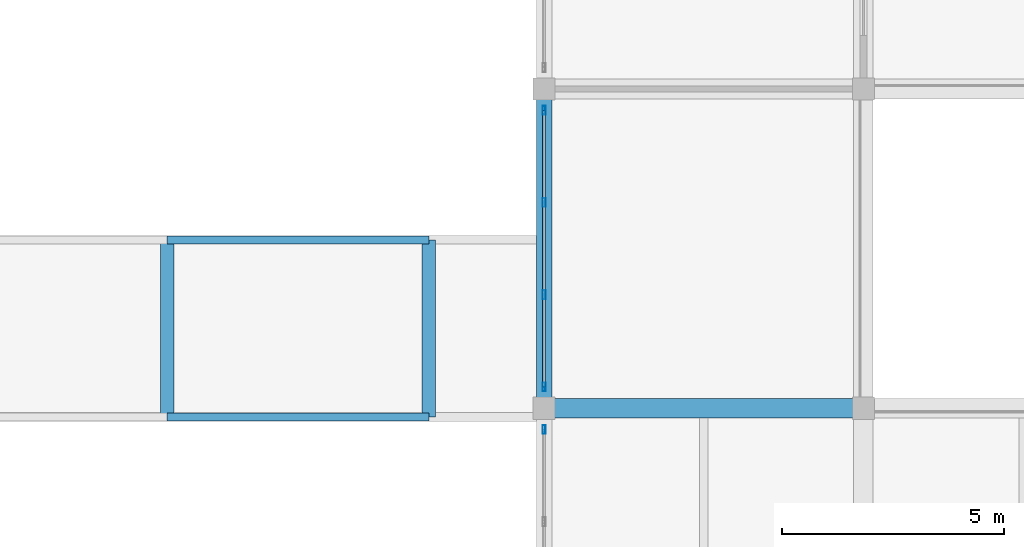
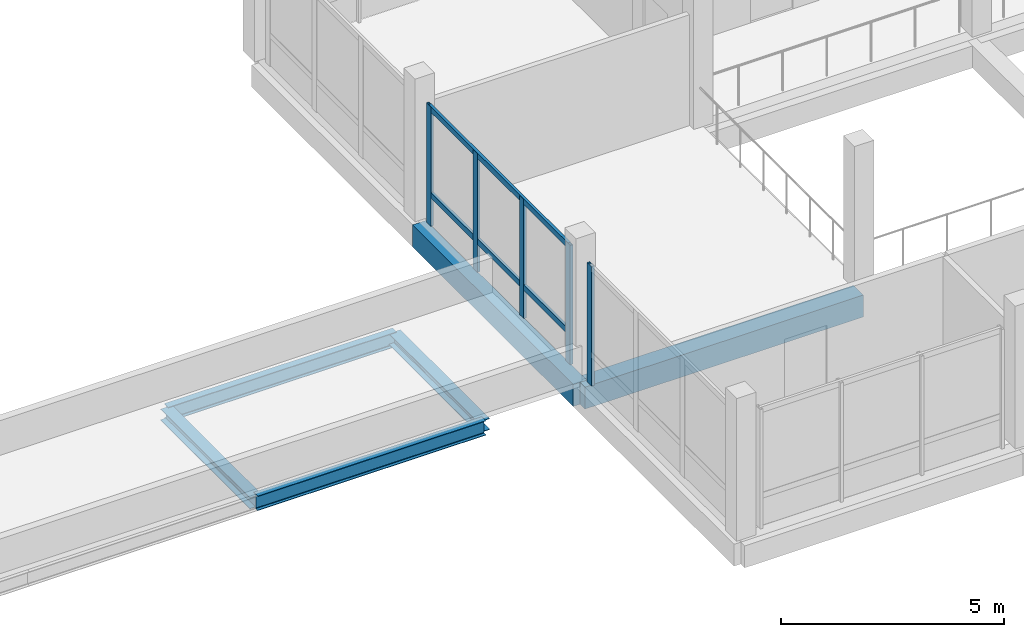
# One storey, part 37 of 128: 7 members, 6 beams, 2 elements without a shape of their own.
"""IFC4 building model written with IfcOpenShell, lengths in metres."""

from ifc_helpers import new_model, si_unit, direction, frame, origin, origin_2d, place, context, subcontext, project, spatial, rectangle, hollow_rectangle, i_section, extrude, material, material_profile, profile_set, type_object, element, aggregate, save


model = new_model("IFC4")

# Units and contexts
model_context = context("Model", 3, precision=1e-05, world=origin(), true_north=direction((0.0, 1.0)))
body_context = subcontext(model_context, "Body", "Model", "MODEL_VIEW")
ifc_project = project(units=[si_unit("LENGTHUNIT", "METRE"), si_unit("AREAUNIT", "SQUARE_METRE"), si_unit("VOLUMEUNIT", "CUBIC_METRE"), si_unit("PLANEANGLEUNIT", "RADIAN"), si_unit("MASSUNIT", "GRAM", prefix="KILO")], contexts=[model_context])

# Site, building, storey
site_placement = place(None, origin())
site = spatial("IfcSite", under=ifc_project, at=site_placement, CompositionType="ELEMENT")
building_placement = place(site_placement, origin())
building = spatial("IfcBuilding", under=site, at=building_placement, Name="Zornivar Specialist Clinic", CompositionType="ELEMENT")
storey_placement = place(building_placement, frame((0.0, 0.0, 4.5)))
storey = spatial("IfcBuildingStorey", under=building, at=storey_placement, Name="L01", CompositionType="ELEMENT", Elevation=4.5)

# Beams
ifc_material_1 = material(Name="Concrete C30/37", Category="concrete")
ifc_material_profile_1 = material_profile(ifc_material_1, rectangle(XDim=0.43994140625, YDim=0.60009765625, at=origin_2d()), Name="RC 440x600")
ifc_profile_set_1 = profile_set([ifc_material_profile_1], Name="Concrete C30/37")
beam_type_1 = type_object("IfcBeamType", Name="BM-RC-440x600", PredefinedType="BEAM", material=ifc_profile_set_1)
beam_1_placement = place(storey_placement, frame((122.39990234375, 7.199951171875, -0.56005859375), z_axis=(1.0, 0.0, 0.0), x_axis=(0.0, 1.0, 0.0)))
element("IfcBeam", 1, at=beam_1_placement, inside=storey, type_object=beam_type_1, Name="bm:V4:L01:x:72:0", PredefinedType="BEAM", context=body_context, shape_type="SweptSolid", body=[
    extrude(rectangle(XDim=0.43994140625, YDim=0.60009765625, at=origin_2d()), origin(), (0.0, 0.0, 1.0), 7.2001953125),
])
ifc_material_2 = material(Name="Concrete C30/37", Category="concrete")
ifc_material_profile_2 = material_profile(ifc_material_2, rectangle(XDim=0.35009765625, YDim=0.60009765625, at=origin_2d()), Name="RC 350x600")
ifc_profile_set_2 = profile_set([ifc_material_profile_2], Name="Concrete C30/37")
beam_type_2 = type_object("IfcBeamType", Name="BM-RC-SPANDREL-350x600", PredefinedType="SPANDREL", material=ifc_profile_set_2)
beam_2_placement = place(storey_placement, frame((122.39990234375, 7.199951171875, -0.56005859375), z_axis=(0.0, 1.0, 0.0), x_axis=(-1.0, 0.0, 0.0)))
element("IfcBeam", 2, at=beam_2_placement, inside=storey, type_object=beam_type_2, Name="bm:V4:L01:y:1224:1", PredefinedType="SPANDREL", context=body_context, shape_type="SweptSolid", body=[
    extrude(rectangle(XDim=0.35009765625, YDim=0.60009765625, at=origin_2d()), origin(), (0.0, 0.0, 1.0), 7.199951171875),
])
ifc_material_3 = material(Name="Steel S355J2", Category="steel")
ifc_material_profile_3 = material_profile(ifc_material_3, i_section(OverallWidth=0.300048828125, OverallDepth=0.31005859375, WebThickness=0.009033203125, FlangeThickness=0.015380859375, FilletRadius=0.027099609375, at=origin_2d()), Name="HEA 320")
ifc_profile_set_3 = profile_set([ifc_material_profile_3], Name="Steel S355J2")
beam_type_3 = type_object("IfcBeamType", Name="BM-STL-HEA320", PredefinedType="BEAM", material=ifc_profile_set_3)
for number, where, z_axis, x_axis, name in (
    (3, (113.89990234375, 7.0, -0.419921875), (0.0, 1.0, 0.0), (-1.0, 0.0, 0.0), "bm:BR4:L01:t:1139"),
    (4, (119.800048828125, 7.0, -0.419921875), (0.0, 1.0, 0.0), (-1.0, 0.0, 0.0), "bm:BR4:L01:t:1198"),
):
    element("IfcBeam", number, at=place(storey_placement, frame(where, z_axis=z_axis, x_axis=x_axis)), inside=storey, type_object=beam_type_3, Name=name, PredefinedType="BEAM", context=body_context, shape_type="SweptSolid", body=[
        extrude(i_section(OverallWidth=0.300048828125, OverallDepth=0.31005859375, WebThickness=0.009033203125, FlangeThickness=0.015380859375, FilletRadius=0.027099609375, at=origin_2d()), origin(), (0.0, 0.0, 1.0), 4.0),
    ])
ifc_material_4 = material(Name="Steel S355J2", Category="steel")
ifc_material_profile_4 = material_profile(ifc_material_4, i_section(OverallWidth=0.179931640625, OverallDepth=0.39990234375, WebThickness=0.008544921875, FlangeThickness=0.013427734375, FilletRadius=0.02099609375, at=origin_2d()), Name="IPE 400")
ifc_profile_set_4 = profile_set([ifc_material_profile_4], Name="Steel S355J2")
beam_type_4 = type_object("IfcBeamType", Name="BM-STL-IPE400", PredefinedType="BEAM", material=ifc_profile_set_4)
for number, where, z_axis, x_axis, name in (
    (5, (113.89990234375, 7.0, -0.419921875), (1.0, 0.0, 0.0), (0.0, 1.0, 0.0), "bm:BR4:L01:g:70:3"),
    (6, (113.89990234375, 11.0, -0.419921875), (1.0, 0.0, 0.0), (0.0, 1.0, 0.0), "bm:BR4:L01:g:110:3"),
):
    element("IfcBeam", number, at=place(storey_placement, frame(where, z_axis=z_axis, x_axis=x_axis)), inside=storey, type_object=beam_type_4, Name=name, PredefinedType="BEAM", context=body_context, shape_type="SweptSolid", body=[
        extrude(i_section(OverallWidth=0.179931640625, OverallDepth=0.39990234375, WebThickness=0.008544921875, FlangeThickness=0.013427734375, FilletRadius=0.02099609375, at=origin_2d()), origin(), (0.0, 0.0, 1.0), 5.900146484375),
    ])

# Curtain wall, members
ifc_material_5 = material(Name="Aluminium and Low-E Glass Curtain Wall", Category="aluminium")
curtain_wall_type = type_object("IfcCurtainWallType", Name="CW-WINTERGARDEN", PredefinedType="NOTDEFINED", material=ifc_material_5)
curtain_wall_1_placement = place(storey_placement, origin())
curtain_wall_1 = element("IfcCurtainWall", 7, at=curtain_wall_1_placement, inside=storey, type_object=curtain_wall_type, Name="cw:V4:L01:16", PredefinedType="NOTDEFINED")
ifc_material_6 = material(Name="Aluminium AW-6060", Category="aluminium")
ifc_material_profile_5 = material_profile(ifc_material_6, hollow_rectangle(XDim=0.070068359375, YDim=0.199951171875, WallThickness=0.0048828125, at=origin_2d()), Name="ALU 70x200x5")
ifc_profile_set_5 = profile_set([ifc_material_profile_5], Name="Aluminium AW-6060")
member_type_1 = type_object("IfcMemberType", Name="CWM-MUL-200", PredefinedType="MULLION", material=ifc_profile_set_5)
member_1_placement = place(storey_placement, frame((122.39990234375, 13.919921875, 0.0), z_axis=(0.0, 0.0, 1.0), x_axis=(1.0, 0.0, 0.0)))
member_1 = element("IfcMember", 8, at=member_1_placement, type_object=member_type_1, Name="cw:V4:L01:16:mul:0", PredefinedType="MULLION", context=body_context, shape_type="SweptSolid", body=[
    extrude(hollow_rectangle(XDim=0.070068359375, YDim=0.199951171875, WallThickness=0.0048828125, at=origin_2d()), origin(), (0.0, 0.0, 1.0), 3.260009765625),
])
member_2_placement = place(storey_placement, frame((122.39990234375, 11.840087890625, 0.0), z_axis=(0.0, 0.0, 1.0), x_axis=(1.0, 0.0, 0.0)))
member_2 = element("IfcMember", 9, at=member_2_placement, type_object=member_type_1, Name="cw:V4:L01:16:mul:1", PredefinedType="MULLION", context=body_context, shape_type="SweptSolid", body=[
    extrude(hollow_rectangle(XDim=0.070068359375, YDim=0.199951171875, WallThickness=0.0048828125, at=origin_2d()), origin(), (0.0, 0.0, 1.0), 3.260009765625),
])
member_3_placement = place(storey_placement, frame((122.39990234375, 9.760009765625, 0.0), z_axis=(0.0, 0.0, 1.0), x_axis=(1.0, 0.0, 0.0)))
member_3 = element("IfcMember", 10, at=member_3_placement, type_object=member_type_1, Name="cw:V4:L01:16:mul:2", PredefinedType="MULLION", context=body_context, shape_type="SweptSolid", body=[
    extrude(hollow_rectangle(XDim=0.070068359375, YDim=0.199951171875, WallThickness=0.0048828125, at=origin_2d()), origin(), (0.0, 0.0, 1.0), 3.260009765625),
])
member_4_placement = place(storey_placement, frame((122.39990234375, 7.679931640625, 0.0), z_axis=(0.0, 0.0, 1.0), x_axis=(1.0, 0.0, 0.0)))
member_4 = element("IfcMember", 11, at=member_4_placement, type_object=member_type_1, Name="cw:V4:L01:16:mul:3", PredefinedType="MULLION", context=body_context, shape_type="SweptSolid", body=[
    extrude(hollow_rectangle(XDim=0.070068359375, YDim=0.199951171875, WallThickness=0.0048828125, at=origin_2d()), origin(), (0.0, 0.0, 1.0), 3.260009765625),
])

# Curtain wall, member
curtain_wall_2_placement = place(storey_placement, origin())
curtain_wall_2 = element("IfcCurtainWall", 12, at=curtain_wall_2_placement, inside=storey, type_object=curtain_wall_type, Name="cw:V4:L01:17", PredefinedType="NOTDEFINED")
member_5_placement = place(storey_placement, frame((122.39990234375, 6.719970703125, 0.0), z_axis=(0.0, 0.0, 1.0), x_axis=(1.0, 0.0, 0.0)))
member_5 = element("IfcMember", 13, at=member_5_placement, type_object=member_type_1, Name="cw:V4:L01:17:mul:0", PredefinedType="MULLION", context=body_context, shape_type="SweptSolid", body=[
    extrude(hollow_rectangle(XDim=0.070068359375, YDim=0.199951171875, WallThickness=0.0048828125, at=origin_2d()), origin(), (0.0, 0.0, 1.0), 3.260009765625),
])
aggregate(curtain_wall_2, [member_5])

# Member
ifc_material_7 = material(Name="Aluminium AW-6060", Category="aluminium")
ifc_material_profile_6 = material_profile(ifc_material_7, hollow_rectangle(XDim=0.070068359375, YDim=0.155029296875, WallThickness=0.00439453125, at=origin_2d()), Name="ALU 70x155x4.5")
ifc_profile_set_6 = profile_set([ifc_material_profile_6], Name="Aluminium AW-6060")
member_type_2 = type_object("IfcMemberType", Name="CWM-TRN-155", PredefinedType="USERDEFINED", material=ifc_profile_set_6)
member_6_placement = place(storey_placement, frame((122.39990234375, 13.919921875, 0.847900390625), z_axis=(0.0, -1.0, 0.0), x_axis=(1.0, 0.0, 0.0)))
member_6 = element("IfcMember", 14, at=member_6_placement, type_object=member_type_2, Name="cw:V4:L01:16:trn:0", ObjectType="TRANSOM", PredefinedType="USERDEFINED", context=body_context, shape_type="SweptSolid", body=[
    extrude(hollow_rectangle(XDim=0.070068359375, YDim=0.155029296875, WallThickness=0.00439453125, at=origin_2d()), origin(), (0.0, 0.0, 1.0), 6.239990234375),
])

member_7_placement = place(storey_placement, frame((122.39990234375, 13.919921875, 3.195068359375), z_axis=(0.0, -1.0, 0.0), x_axis=(1.0, 0.0, 0.0)))
member_7 = element("IfcMember", 15, at=member_7_placement, type_object=member_type_2, Name="cw:V4:L01:16:trn:1", ObjectType="TRANSOM", PredefinedType="USERDEFINED", context=body_context, shape_type="SweptSolid", body=[
    extrude(hollow_rectangle(XDim=0.070068359375, YDim=0.155029296875, WallThickness=0.00439453125, at=origin_2d()), origin(), (0.0, 0.0, 1.0), 6.239990234375),
])

aggregate(curtain_wall_1, [member_1, member_2, member_3, member_4, member_6, member_7])

save(model, "model.ifc")
